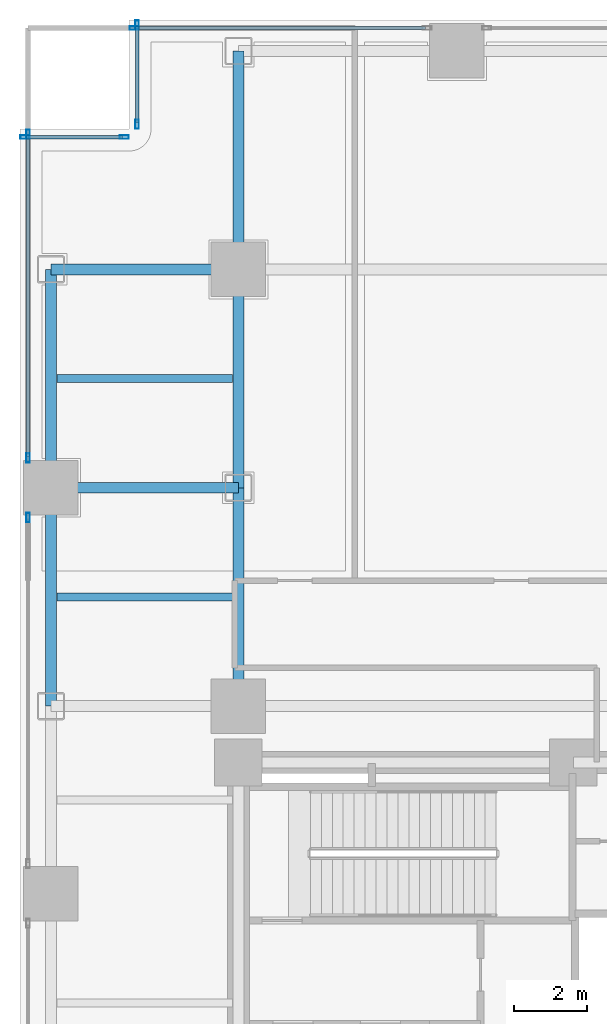
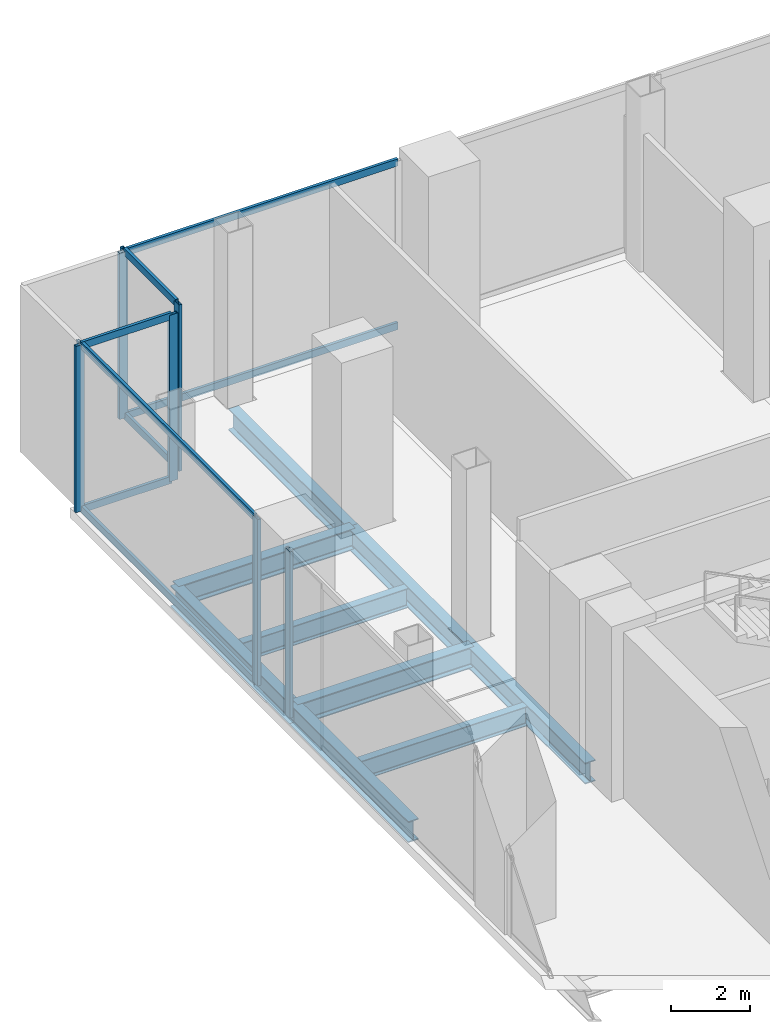
# One storey, part 13 of 27: 16 members, 9 beams, 5 elements without a shape of their own.
"""IFC4 building model written with IfcOpenShell, lengths in metres."""

from ifc_helpers import new_model, si_unit, direction, frame, origin, origin_2d, place, context, subcontext, project, spatial, hollow_rectangle, i_section, extrude, material, layer, layer_set, material_profile, profile_set, type_object, element, aggregate, save


model = new_model("IFC4")

# Units and contexts
model_context = context("Model", 3, precision=1e-05, world=origin(), true_north=direction((0.0, 1.0)))
body_context = subcontext(model_context, "Body", "Model", "MODEL_VIEW")
ifc_project = project(units=[si_unit("LENGTHUNIT", "METRE"), si_unit("AREAUNIT", "SQUARE_METRE"), si_unit("VOLUMEUNIT", "CUBIC_METRE"), si_unit("PLANEANGLEUNIT", "RADIAN"), si_unit("MASSUNIT", "GRAM", prefix="KILO"), si_unit("THERMODYNAMICTEMPERATUREUNIT", "KELVIN"), si_unit("POWERUNIT", "WATT")], contexts=[model_context])

# Site, building, storey
site_placement = place(None, origin())
site = spatial("IfcSite", under=ifc_project, at=site_placement, CompositionType="ELEMENT")
building_placement = place(site_placement, origin())
building = spatial("IfcBuilding", under=site, at=building_placement, Name="Svarakhadi Broadcast Tower", CompositionType="ELEMENT")
storey_placement = place(building_placement, frame((0.0, 0.0, 16.5)))
storey = spatial("IfcBuildingStorey", under=building, at=storey_placement, Name="L03", CompositionType="ELEMENT", Elevation=16.5)

# Beams
ifc_material_1 = material(Name="Steel S355J2 (IS 2062 E350C)", Category="steel")
ifc_material_profile_1 = material_profile(ifc_material_1, i_section(OverallWidth=0.219970703125, OverallDepth=0.60009765625, WebThickness=0.011962890625, FlangeThickness=0.01904296875, FilletRadius=0.02392578125, at=origin_2d()), Name="NPB 600x220x122")
ifc_profile_set_1 = profile_set([ifc_material_profile_1], Name="Steel S355J2 (IS 2062 E350C)")
beam_type_1 = type_object("IfcBeamType", Name="Beam_NPB600", PredefinedType="BEAM", material=ifc_profile_set_1)
for number, where, z_axis, x_axis, name in (
    (1, (1.010009765625, 32.14990234375, -0.60009765625), (1.0, 0.0, 0.0), (0.0, 1.0, 0.0), "L03 Secondary Composite Beam SB005"),
    (2, (1.010009765625, 38.14990234375, -0.60009765625), (1.0, 0.0, 0.0), (0.0, 1.0, 0.0), "L03 Secondary Composite Beam SB006"),
):
    element("IfcBeam", number, at=place(storey_placement, frame(where, z_axis=z_axis, x_axis=x_axis)), inside=storey, type_object=beam_type_1, Name=name, PredefinedType="BEAM", context=body_context, shape_type="SweptSolid", body=[
        extrude(i_section(OverallWidth=0.219970703125, OverallDepth=0.60009765625, WebThickness=0.011962890625, FlangeThickness=0.01904296875, FilletRadius=0.02392578125, at=origin_2d()), origin(), (0.0, 0.0, 1.0), 4.830078125),
    ])

# Curtain wall, member
ifc_material_2 = material(Name="Anodised Bronze Aluminium AA 6063-T6", Category="aluminium")
ifc_layer = layer(ifc_material_2, 0.25)
ifc_layer_set = layer_set([ifc_layer], Name="Anodised Bronze Aluminium AA 6063-T6")
curtain_wall_type = type_object("IfcCurtainWallType", Name="CW_Sys_01", PredefinedType="NOTDEFINED", material=ifc_layer_set)
curtain_wall_1_placement = place(storey_placement, origin())
curtain_wall_1 = element("IfcCurtainWall", 3, at=curtain_wall_1_placement, inside=storey, type_object=curtain_wall_type, Name="L03 Unitised Facade Curtain Wall 02 Bay 3", PredefinedType="NOTDEFINED")
ifc_material_profile_2 = material_profile(ifc_material_2, hollow_rectangle(XDim=0.094970703125, YDim=0.25, WallThickness=0.006103515625, at=origin_2d()), Name="ALU MULLION 250x95x6")
ifc_profile_set_2 = profile_set([ifc_material_profile_2], Name="Anodised Bronze Aluminium AA 6063-T6")
member_type_1 = type_object("IfcMemberType", Name="CW_Sys_01_Mul", PredefinedType="MULLION", material=ifc_profile_set_2)
member_1_placement = place(storey_placement, frame((0.219970703125, 34.33251953125, 0.0), z_axis=(0.0, 0.0, 1.0), x_axis=(-1.0, 0.0, 0.0)))
member_1 = element("IfcMember", 4, at=member_1_placement, type_object=member_type_1, Name="CW-01 mullion 2", PredefinedType="MULLION", context=body_context, shape_type="SweptSolid", body=[
    extrude(hollow_rectangle(XDim=0.094970703125, YDim=0.25, WallThickness=0.006103515625, at=origin_2d()), origin(), (0.0, 0.0, 1.0), 5.125),
])
aggregate(curtain_wall_1, [member_1])

# Curtain wall, members
curtain_wall_2_placement = place(storey_placement, origin())
curtain_wall_2 = element("IfcCurtainWall", 5, at=curtain_wall_2_placement, inside=storey, type_object=curtain_wall_type, Name="L03 Unitised Facade Curtain Wall 02 Bay 4", PredefinedType="NOTDEFINED")
member_2_placement = place(storey_placement, frame((0.219970703125, 35.967529296875, 0.0), z_axis=(0.0, 0.0, 1.0), x_axis=(-1.0, 0.0, 0.0)))
member_2 = element("IfcMember", 6, at=member_2_placement, type_object=member_type_1, Name="CW-01 mullion 1", PredefinedType="MULLION", context=body_context, shape_type="SweptSolid", body=[
    extrude(hollow_rectangle(XDim=0.094970703125, YDim=0.25, WallThickness=0.006103515625, at=origin_2d()), origin(), (0.0, 0.0, 1.0), 5.125),
])
member_3_placement = place(storey_placement, frame((0.219970703125, 44.862548828125, 0.0), z_axis=(0.0, 0.0, 1.0), x_axis=(-1.0, 0.0, 0.0)))
member_3 = element("IfcMember", 7, at=member_3_placement, type_object=member_type_1, Name="CW-01 mullion 2", PredefinedType="MULLION", context=body_context, shape_type="SweptSolid", body=[
    extrude(hollow_rectangle(XDim=0.094970703125, YDim=0.25, WallThickness=0.006103515625, at=origin_2d()), origin(), (0.0, 0.0, 1.0), 5.125),
])

curtain_wall_3_placement = place(storey_placement, origin())
curtain_wall_3 = element("IfcCurtainWall", 8, at=curtain_wall_3_placement, inside=storey, type_object=curtain_wall_type, Name="L03 Unitised Facade Curtain Wall 03", PredefinedType="NOTDEFINED")
member_4_placement = place(storey_placement, frame((0.137451171875, 44.780029296875, 0.0), z_axis=(0.0, 0.0, 1.0), x_axis=(0.0, 1.0, 0.0)))
member_4 = element("IfcMember", 9, at=member_4_placement, type_object=member_type_1, Name="CW-01 mullion 1", PredefinedType="MULLION", context=body_context, shape_type="SweptSolid", body=[
    extrude(hollow_rectangle(XDim=0.094970703125, YDim=0.25, WallThickness=0.006103515625, at=origin_2d()), origin(), (0.0, 0.0, 1.0), 5.125),
])
member_5_placement = place(storey_placement, frame((2.862548828125, 44.780029296875, 0.0), z_axis=(0.0, 0.0, 1.0), x_axis=(0.0, 1.0, 0.0)))
member_5 = element("IfcMember", 10, at=member_5_placement, type_object=member_type_1, Name="CW-01 mullion 2", PredefinedType="MULLION", context=body_context, shape_type="SweptSolid", body=[
    extrude(hollow_rectangle(XDim=0.094970703125, YDim=0.25, WallThickness=0.006103515625, at=origin_2d()), origin(), (0.0, 0.0, 1.0), 5.125),
])

curtain_wall_4_placement = place(storey_placement, origin())
curtain_wall_4 = element("IfcCurtainWall", 11, at=curtain_wall_4_placement, inside=storey, type_object=curtain_wall_type, Name="L03 Unitised Facade Curtain Wall 04", PredefinedType="NOTDEFINED")
member_6_placement = place(storey_placement, frame((3.219970703125, 45.137451171875, 0.0), z_axis=(0.0, 0.0, 1.0), x_axis=(-1.0, 0.0, 0.0)))
member_6 = element("IfcMember", 12, at=member_6_placement, type_object=member_type_1, Name="CW-01 mullion 1", PredefinedType="MULLION", context=body_context, shape_type="SweptSolid", body=[
    extrude(hollow_rectangle(XDim=0.094970703125, YDim=0.25, WallThickness=0.006103515625, at=origin_2d()), origin(), (0.0, 0.0, 1.0), 5.125),
])
member_7_placement = place(storey_placement, frame((3.219970703125, 47.862548828125, 0.0), z_axis=(0.0, 0.0, 1.0), x_axis=(-1.0, 0.0, 0.0)))
member_7 = element("IfcMember", 13, at=member_7_placement, type_object=member_type_1, Name="CW-01 mullion 2", PredefinedType="MULLION", context=body_context, shape_type="SweptSolid", body=[
    extrude(hollow_rectangle(XDim=0.094970703125, YDim=0.25, WallThickness=0.006103515625, at=origin_2d()), origin(), (0.0, 0.0, 1.0), 5.125),
])

# Curtain wall, member
curtain_wall_5_placement = place(storey_placement, origin())
curtain_wall_5 = element("IfcCurtainWall", 14, at=curtain_wall_5_placement, inside=storey, type_object=curtain_wall_type, Name="L03 Unitised Facade Curtain Wall 05 Bay 1", PredefinedType="NOTDEFINED")
member_8_placement = place(storey_placement, frame((3.137451171875, 47.780029296875, 0.0), z_axis=(0.0, 0.0, 1.0), x_axis=(0.0, 1.0, 0.0)))
member_8 = element("IfcMember", 15, at=member_8_placement, type_object=member_type_1, Name="CW-01 mullion 1", PredefinedType="MULLION", context=body_context, shape_type="SweptSolid", body=[
    extrude(hollow_rectangle(XDim=0.094970703125, YDim=0.25, WallThickness=0.006103515625, at=origin_2d()), origin(), (0.0, 0.0, 1.0), 5.125),
])

# Member
ifc_material_profile_3 = material_profile(ifc_material_2, hollow_rectangle(XDim=0.0849609375, YDim=0.219970703125, WallThickness=0.0048828125, at=origin_2d()), Name="ALU TRANSOM 220x85x5")
ifc_profile_set_3 = profile_set([ifc_material_profile_3], Name="Anodised Bronze Aluminium AA 6063-T6")
member_type_2 = type_object("IfcMemberType", Name="CW_Sys_01_Trn", PredefinedType="USERDEFINED", material=ifc_profile_set_3)
member_9_placement = place(storey_placement, frame((0.219970703125, 36.014892578125, 0.04248046875), z_axis=(0.0, 1.0, 0.0), x_axis=(-1.0, 0.0, 0.0)))
member_9 = element("IfcMember", 16, at=member_9_placement, type_object=member_type_2, Name="CW-01 transom 1.1", ObjectType="TRANSOM", PredefinedType="USERDEFINED", context=body_context, shape_type="SweptSolid", body=[
    extrude(hollow_rectangle(XDim=0.0849609375, YDim=0.219970703125, WallThickness=0.0048828125, at=origin_2d()), origin(), (0.0, 0.0, 1.0), 8.800048828125),
])

member_10_placement = place(storey_placement, frame((0.219970703125, 36.014892578125, 5.08251953125), z_axis=(0.0, 1.0, 0.0), x_axis=(-1.0, 0.0, 0.0)))
member_10 = element("IfcMember", 17, at=member_10_placement, type_object=member_type_2, Name="CW-01 transom 1.2", ObjectType="TRANSOM", PredefinedType="USERDEFINED", context=body_context, shape_type="SweptSolid", body=[
    extrude(hollow_rectangle(XDim=0.0849609375, YDim=0.219970703125, WallThickness=0.0048828125, at=origin_2d()), origin(), (0.0, 0.0, 1.0), 8.800048828125),
])

aggregate(curtain_wall_2, [member_2, member_3, member_9, member_10])

member_11_placement = place(storey_placement, frame((0.18505859375, 44.780029296875, 0.04248046875), z_axis=(1.0, 0.0, 0.0), x_axis=(0.0, 1.0, 0.0)))
member_11 = element("IfcMember", 18, at=member_11_placement, type_object=member_type_2, Name="CW-01 transom 1.1", ObjectType="TRANSOM", PredefinedType="USERDEFINED", context=body_context, shape_type="SweptSolid", body=[
    extrude(hollow_rectangle(XDim=0.0849609375, YDim=0.219970703125, WallThickness=0.0048828125, at=origin_2d()), origin(), (0.0, 0.0, 1.0), 2.6298828125),
])

member_12_placement = place(storey_placement, frame((0.18505859375, 44.780029296875, 5.08251953125), z_axis=(1.0, 0.0, 0.0), x_axis=(0.0, 1.0, 0.0)))
member_12 = element("IfcMember", 19, at=member_12_placement, type_object=member_type_2, Name="CW-01 transom 1.2", ObjectType="TRANSOM", PredefinedType="USERDEFINED", context=body_context, shape_type="SweptSolid", body=[
    extrude(hollow_rectangle(XDim=0.0849609375, YDim=0.219970703125, WallThickness=0.0048828125, at=origin_2d()), origin(), (0.0, 0.0, 1.0), 2.6298828125),
])

aggregate(curtain_wall_3, [member_4, member_5, member_11, member_12])

member_13_placement = place(storey_placement, frame((3.219970703125, 45.18505859375, 0.04248046875), z_axis=(0.0, 1.0, 0.0), x_axis=(-1.0, 0.0, 0.0)))
member_13 = element("IfcMember", 20, at=member_13_placement, type_object=member_type_2, Name="CW-01 transom 1.1", ObjectType="TRANSOM", PredefinedType="USERDEFINED", context=body_context, shape_type="SweptSolid", body=[
    extrude(hollow_rectangle(XDim=0.0849609375, YDim=0.219970703125, WallThickness=0.0048828125, at=origin_2d()), origin(), (0.0, 0.0, 1.0), 2.6298828125),
])

member_14_placement = place(storey_placement, frame((3.219970703125, 45.18505859375, 5.08251953125), z_axis=(0.0, 1.0, 0.0), x_axis=(-1.0, 0.0, 0.0)))
member_14 = element("IfcMember", 21, at=member_14_placement, type_object=member_type_2, Name="CW-01 transom 1.2", ObjectType="TRANSOM", PredefinedType="USERDEFINED", context=body_context, shape_type="SweptSolid", body=[
    extrude(hollow_rectangle(XDim=0.0849609375, YDim=0.219970703125, WallThickness=0.0048828125, at=origin_2d()), origin(), (0.0, 0.0, 1.0), 2.6298828125),
])

aggregate(curtain_wall_4, [member_6, member_7, member_13, member_14])

member_15_placement = place(storey_placement, frame((3.18505859375, 47.780029296875, 0.04248046875), z_axis=(1.0, 0.0, 0.0), x_axis=(0.0, 1.0, 0.0)))
member_15 = element("IfcMember", 22, at=member_15_placement, type_object=member_type_2, Name="CW-01 transom 1.1", ObjectType="TRANSOM", PredefinedType="USERDEFINED", context=body_context, shape_type="SweptSolid", body=[
    extrude(hollow_rectangle(XDim=0.0849609375, YDim=0.219970703125, WallThickness=0.0048828125, at=origin_2d()), origin(), (0.0, 0.0, 1.0), 7.949951171875),
])

member_16_placement = place(storey_placement, frame((3.18505859375, 47.780029296875, 5.08251953125), z_axis=(1.0, 0.0, 0.0), x_axis=(0.0, 1.0, 0.0)))
member_16 = element("IfcMember", 23, at=member_16_placement, type_object=member_type_2, Name="CW-01 transom 1.2", ObjectType="TRANSOM", PredefinedType="USERDEFINED", context=body_context, shape_type="SweptSolid", body=[
    extrude(hollow_rectangle(XDim=0.0849609375, YDim=0.219970703125, WallThickness=0.0048828125, at=origin_2d()), origin(), (0.0, 0.0, 1.0), 7.949951171875),
])

aggregate(curtain_wall_5, [member_8, member_15, member_16])

# Beams
ifc_material_profile_4 = material_profile(ifc_material_1, i_section(OverallWidth=0.300048828125, OverallDepth=0.64990234375, WebThickness=0.01611328125, FlangeThickness=0.031005859375, FilletRadius=0.027099609375, at=origin_2d()), Name="WPB 650x300x225")
ifc_profile_set_4 = profile_set([ifc_material_profile_4], Name="Steel S355J2 (IS 2062 E350C)")
beam_type_2 = type_object("IfcBeamType", Name="Girder_WPB650", PredefinedType="USERDEFINED", material=ifc_profile_set_4)
for number, where, z_axis, x_axis, name in (
    (24, (0.85009765625, 35.14990234375, -0.625), (1.0, 0.0, 0.0), (0.0, 1.0, 0.0), "L03 Primary E-W Girder G037"),
    (25, (0.85009765625, 41.14990234375, -0.625), (1.0, 0.0, 0.0), (0.0, 1.0, 0.0), "L03 Primary E-W Girder G040"),
):
    element("IfcBeam", number, at=place(storey_placement, frame(where, z_axis=z_axis, x_axis=x_axis)), inside=storey, type_object=beam_type_2, Name=name, ObjectType="GIRDER", PredefinedType="USERDEFINED", context=body_context, shape_type="SweptSolid", body=[
        extrude(i_section(OverallWidth=0.300048828125, OverallDepth=0.64990234375, WebThickness=0.01611328125, FlangeThickness=0.031005859375, FilletRadius=0.027099609375, at=origin_2d()), origin(), (0.0, 0.0, 1.0), 5.14990234375),
    ])
for number, where, z_axis, x_axis, name in (
    (26, (0.85009765625, 29.14990234375, -0.625), (0.0, 1.0, 0.0), (-1.0, 0.0, 0.0), "L03 Primary N-S Girder G048"),
    (27, (0.85009765625, 35.14990234375, -0.625), (0.0, 1.0, 0.0), (-1.0, 0.0, 0.0), "L03 Primary N-S Girder G049"),
    (28, (6.0, 29.14990234375, -0.625), (0.0, 1.0, 0.0), (-1.0, 0.0, 0.0), "L03 Primary N-S Girder G054"),
    (29, (6.0, 35.14990234375, -0.625), (0.0, 1.0, 0.0), (-1.0, 0.0, 0.0), "L03 Primary N-S Girder G055"),
    (30, (6.0, 41.14990234375, -0.625), (0.0, 1.0, 0.0), (-1.0, 0.0, 0.0), "L03 Primary N-S Girder G056"),
):
    element("IfcBeam", number, at=place(storey_placement, frame(where, z_axis=z_axis, x_axis=x_axis)), inside=storey, type_object=beam_type_2, Name=name, ObjectType="GIRDER", PredefinedType="USERDEFINED", context=body_context, shape_type="SweptSolid", body=[
        extrude(i_section(OverallWidth=0.300048828125, OverallDepth=0.64990234375, WebThickness=0.01611328125, FlangeThickness=0.031005859375, FilletRadius=0.027099609375, at=origin_2d()), origin(), (0.0, 0.0, 1.0), 6.0),
    ])

save(model, "model.ifc")
